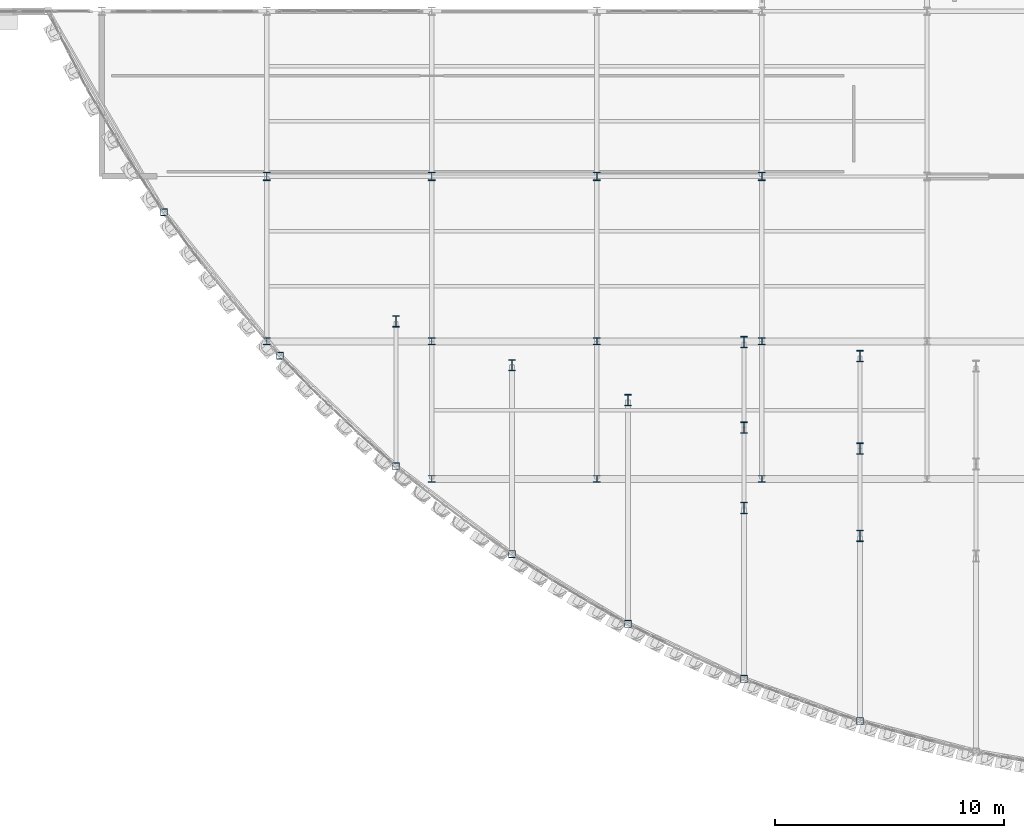
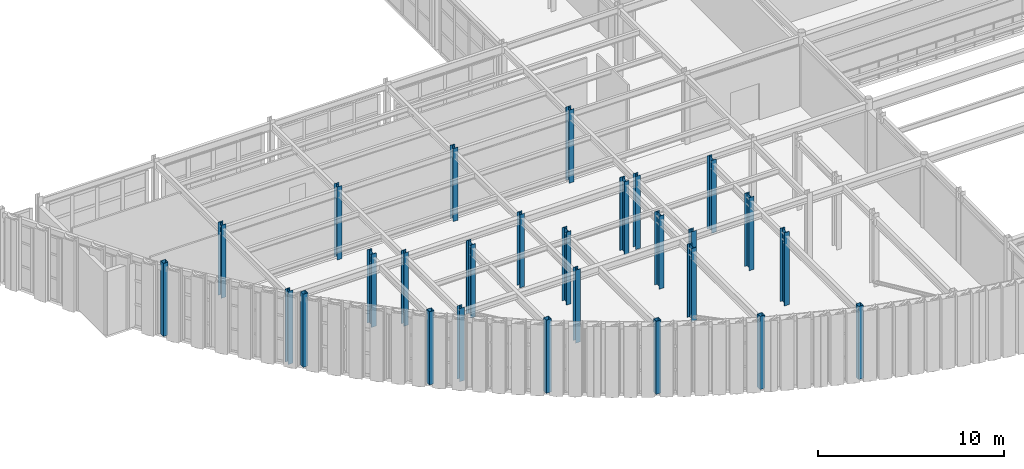
# One storey, part 1 of 121: 27 columns.
"""IFC4 building model written with IfcOpenShell, lengths in metres."""

from ifc_helpers import new_model, si_unit, direction, frame, origin, origin_2d, place, context, subcontext, project, spatial, hollow_rectangle, i_section, extrude, material, material_profile, profile_set, type_object, element, save


model = new_model("IFC4")

# Units and contexts
model_context = context("Model", 3, precision=1e-05, world=origin(), true_north=direction((0.0, 1.0)))
body_context = subcontext(model_context, "Body", "Model", "MODEL_VIEW")
ifc_project = project(units=[si_unit("LENGTHUNIT", "METRE"), si_unit("AREAUNIT", "SQUARE_METRE"), si_unit("VOLUMEUNIT", "CUBIC_METRE"), si_unit("PLANEANGLEUNIT", "RADIAN"), si_unit("MASSUNIT", "GRAM", prefix="KILO")], contexts=[model_context])

# Site, building, storey
site_placement = place(None, origin())
site = spatial("IfcSite", under=ifc_project, at=site_placement, CompositionType="ELEMENT")
building_placement = place(site_placement, origin())
building = spatial("IfcBuilding", under=site, at=building_placement, Name="Solvadek Multi-Sports Hall", CompositionType="ELEMENT")
storey_placement = place(building_placement, frame((0.0, 0.0, 4.800048828125)))
storey = spatial("IfcBuildingStorey", under=building, at=storey_placement, Name="L01", CompositionType="ELEMENT", Elevation=4.800048828125)

# Columns
ifc_material = material(Name="Steel E350 (350 MPa)", Category="steel")
ifc_material_profile_1 = material_profile(ifc_material, hollow_rectangle(XDim=0.300048828125, YDim=0.300048828125, WallThickness=0.012451171875, at=origin_2d()), Name="SHS 300x300x12.5")
ifc_profile_set_1 = profile_set([ifc_material_profile_1], Name="Steel E350 (350 MPa)")
column_type_1 = type_object("IfcColumnType", Name="STR-COL-SHS300", PredefinedType="COLUMN", material=ifc_profile_set_1)
for number, where, z_axis, x_axis, name in (
    (1, (31.51513671875, 11.63232421875, 0.0), (0.0, 0.0, 1.0), (1.0, 0.0, 0.0), "L01 Column C-10 #267"),
    (2, (36.57568359375, 5.37158203125, 0.0), (0.0, 0.0, 1.0), (1.0, 0.0, 0.0), "L01 Column C-10 #268"),
    (3, (41.636474609375, 0.54541015625, 0.0), (0.0, 0.0, 1.0), (1.0, 0.0, 0.0), "L01 Column C-10 #269"),
    (4, (46.697021484375, -3.2783203125, 0.0), (0.0, 0.0, 1.0), (1.0, 0.0, 0.0), "L01 Column C-10 #271"),
    (5, (51.757568359375, -6.323974609375, 0.0), (0.0, 0.0, 1.0), (1.0, 0.0, 0.0), "L01 Column C-10 #273"),
    (6, (56.818115234375, -8.72412109375, 0.0), (0.0, 0.0, 1.0), (1.0, 0.0, 0.0), "L01 Column C-10 #275"),
    (7, (61.87890625, -10.562744140625, 0.0), (0.0, 0.0, 1.0), (1.0, 0.0, 0.0), "L01 Column C-10 #279"),
):
    element("IfcColumn", number, at=place(storey_placement, frame(where, z_axis=z_axis, x_axis=x_axis)), inside=storey, type_object=column_type_1, Name=name, PredefinedType="COLUMN", context=body_context, shape_type="SweptSolid", body=[
        extrude(hollow_rectangle(XDim=0.300048828125, YDim=0.300048828125, WallThickness=0.012451171875, at=origin_2d()), origin(), (0.0, 0.0, 1.0), 4.800048828125),
    ])
ifc_material_profile_2 = material_profile(ifc_material, i_section(OverallWidth=0.300048828125, OverallDepth=0.300048828125, WebThickness=0.010986328125, FlangeThickness=0.01904296875, at=origin_2d()), Name="WPB 300")
ifc_profile_set_2 = profile_set([ifc_material_profile_2], Name="Steel E350 (350 MPa)")
column_type_2 = type_object("IfcColumnType", Name="STR-COL-WPB300", PredefinedType="COLUMN", material=ifc_profile_set_2)
for number, where, z_axis, x_axis, name in (
    (8, (36.0, 6.0, 0.0), (0.0, 0.0, 1.0), (1.0, 0.0, 0.0), "L01 Column C-09 #66"),
    (9, (43.199951171875, 0.0, 0.0), (0.0, 0.0, 1.0), (1.0, 0.0, 0.0), "L01 Column C-09 #81"),
    (10, (43.199951171875, 6.0, 0.0), (0.0, 0.0, 1.0), (1.0, 0.0, 0.0), "L01 Column C-09 #82"),
    (11, (50.39990234375, 0.0, 0.0), (0.0, 0.0, 1.0), (1.0, 0.0, 0.0), "L01 Column C-09 #97"),
    (12, (50.39990234375, 6.0, 0.0), (0.0, 0.0, 1.0), (1.0, 0.0, 0.0), "L01 Column C-09 #98"),
    (13, (57.60009765625, 0.0, 0.0), (0.0, 0.0, 1.0), (1.0, 0.0, 0.0), "L01 Column C-09 #113"),
    (14, (57.60009765625, 6.0, 0.0), (0.0, 0.0, 1.0), (1.0, 0.0, 0.0), "L01 Column C-09 #114"),
):
    element("IfcColumn", number, at=place(storey_placement, frame(where, z_axis=z_axis, x_axis=x_axis)), inside=storey, type_object=column_type_2, Name=name, PredefinedType="COLUMN", context=body_context, shape_type="SweptSolid", body=[
        extrude(i_section(OverallWidth=0.300048828125, OverallDepth=0.300048828125, WebThickness=0.010986328125, FlangeThickness=0.01904296875, at=origin_2d()), origin(), (0.0, 0.0, 1.0), 4.800048828125),
    ])
ifc_material_profile_3 = material_profile(ifc_material, i_section(OverallWidth=0.300048828125, OverallDepth=0.360107421875, WebThickness=0.012451171875, FlangeThickness=0.0224609375, at=origin_2d()), Name="WPB 360")
ifc_profile_set_3 = profile_set([ifc_material_profile_3], Name="Steel E350 (350 MPa)")
column_type_3 = type_object("IfcColumnType", Name="STR-COL-WPB360", PredefinedType="COLUMN", material=ifc_profile_set_3)
for number, where, z_axis, x_axis, name in (
    (15, (36.0, 13.199951171875, 0.0), (0.0, 0.0, 1.0), (1.0, 0.0, 0.0), "L01 Column C-08 #67"),
    (16, (43.199951171875, 13.199951171875, 0.0), (0.0, 0.0, 1.0), (1.0, 0.0, 0.0), "L01 Column C-08 #83"),
    (17, (50.39990234375, 13.199951171875, 0.0), (0.0, 0.0, 1.0), (1.0, 0.0, 0.0), "L01 Column C-08 #99"),
    (18, (57.60009765625, 13.199951171875, 0.0), (0.0, 0.0, 1.0), (1.0, 0.0, 0.0), "L01 Column C-08 #115"),
):
    element("IfcColumn", number, at=place(storey_placement, frame(where, z_axis=z_axis, x_axis=x_axis)), inside=storey, type_object=column_type_3, Name=name, PredefinedType="COLUMN", context=body_context, shape_type="SweptSolid", body=[
        extrude(i_section(OverallWidth=0.300048828125, OverallDepth=0.360107421875, WebThickness=0.012451171875, FlangeThickness=0.0224609375, at=origin_2d()), origin(), (0.0, 0.0, 1.0), 4.800048828125),
    ])
ifc_material_profile_4 = material_profile(ifc_material, i_section(OverallWidth=0.300048828125, OverallDepth=0.5, WebThickness=0.014404296875, FlangeThickness=0.028076171875, at=origin_2d()), Name="WPB 500")
ifc_profile_set_4 = profile_set([ifc_material_profile_4], Name="Steel E350 (350 MPa)")
column_type_4 = type_object("IfcColumnType", Name="STR-COL-WPB500", PredefinedType="COLUMN", material=ifc_profile_set_4)
for number, where, z_axis, x_axis, name in (
    (19, (41.636474609375, 6.87255859375, 0.0), (0.0, 0.0, 1.0), (1.0, 0.0, 0.0), "L01 Column C-05 #270"),
    (20, (46.697021484375, 4.960693359375, 0.0), (0.0, 0.0, 1.0), (1.0, 0.0, 0.0), "L01 Column C-05 #272"),
    (21, (51.757568359375, 3.43798828125, 0.0), (0.0, 0.0, 1.0), (1.0, 0.0, 0.0), "L01 Column C-05 #274"),
    (22, (56.818115234375, 2.23779296875, 0.0), (0.0, 0.0, 1.0), (1.0, 0.0, 0.0), "L01 Column C-05 #276"),
    (23, (56.818115234375, -1.27001953125, 0.0), (0.0, 0.0, 1.0), (1.0, 0.0, 0.0), "L01 Column C-05 #277"),
    (24, (56.818115234375, 5.965087890625, 0.0), (0.0, 0.0, 1.0), (1.0, 0.0, 0.0), "L01 Column C-05 #278"),
    (25, (61.87890625, 1.318603515625, 0.0), (0.0, 0.0, 1.0), (1.0, 0.0, 0.0), "L01 Column C-05 #280"),
    (26, (61.87890625, -2.4833984375, 0.0), (0.0, 0.0, 1.0), (1.0, 0.0, 0.0), "L01 Column C-05 #281"),
    (27, (61.87890625, 5.3583984375, 0.0), (0.0, 0.0, 1.0), (1.0, 0.0, 0.0), "L01 Column C-05 #282"),
):
    element("IfcColumn", number, at=place(storey_placement, frame(where, z_axis=z_axis, x_axis=x_axis)), inside=storey, type_object=column_type_4, Name=name, PredefinedType="COLUMN", context=body_context, shape_type="SweptSolid", body=[
        extrude(i_section(OverallWidth=0.300048828125, OverallDepth=0.5, WebThickness=0.014404296875, FlangeThickness=0.028076171875, at=origin_2d()), origin(), (0.0, 0.0, 1.0), 4.800048828125),
    ])

save(model, "model.ifc")
